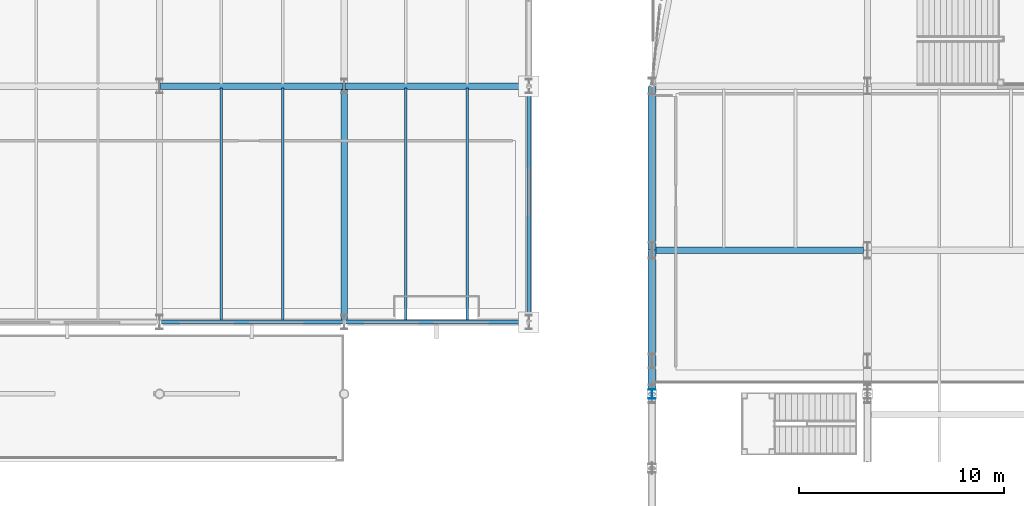
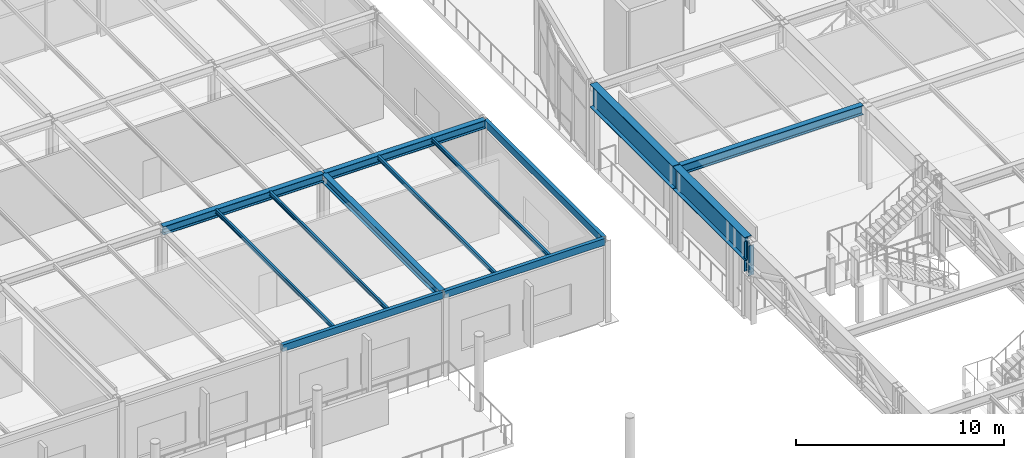
# One storey, part 40 of 143: 13 beams, 1 member.
"""IFC4 building model written with IfcOpenShell, lengths in metres."""

from ifc_helpers import new_model, si_unit, direction, frame, origin, origin_2d, place, context, subcontext, project, spatial, hollow_rectangle, i_section, extrude, material, material_profile, profile_set, type_object, element, save


model = new_model("IFC4")

# Units and contexts
model_context = context("Model", 3, precision=1e-05, world=origin(), true_north=direction((0.0, 1.0)))
body_context = subcontext(model_context, "Body", "Model", "MODEL_VIEW")
ifc_project = project(units=[si_unit("LENGTHUNIT", "METRE"), si_unit("AREAUNIT", "SQUARE_METRE"), si_unit("VOLUMEUNIT", "CUBIC_METRE"), si_unit("PLANEANGLEUNIT", "RADIAN"), si_unit("MASSUNIT", "GRAM", prefix="KILO")], contexts=[model_context])

# Site, building, storey
site_placement = place(None, origin())
site = spatial("IfcSite", under=ifc_project, at=site_placement, CompositionType="ELEMENT")
building_placement = place(site_placement, origin())
building = spatial("IfcBuilding", under=site, at=building_placement, Name="Marlcrest Central Station", CompositionType="ELEMENT")
storey_placement = place(building_placement, frame((0.0, 0.0, 4.800048828125)))
storey = spatial("IfcBuildingStorey", under=building, at=storey_placement, Name="L01", CompositionType="ELEMENT", Elevation=4.800048828125)

# Beams
ifc_material = material(Name="Steel S355", Category="steel")
ifc_material_profile_1 = material_profile(ifc_material, i_section(OverallWidth=0.300048828125, OverallDepth=0.489990234375, WebThickness=0.011962890625, FlangeThickness=0.02294921875, FilletRadius=0.027099609375, at=origin_2d()), Name="HEA 500")
ifc_profile_set_1 = profile_set([ifc_material_profile_1], Name="Steel S355")
beam_type_1 = type_object("IfcBeamType", Name="BM-10", PredefinedType="BEAM", material=ifc_profile_set_1)
for number, where, z_axis, x_axis, name in (
    (1, (63.050048828125, 110.5, 4.574951171875), (1.0, 0.0, 0.0), (0.0, 1.0, 0.0), "bm-BM-10-L01-00244"),
    (2, (72.050048828125, 110.5, 4.574951171875), (1.0, 0.0, 0.0), (0.0, 1.0, 0.0), "bm-BM-10-L01-00245"),
):
    element("IfcBeam", number, at=place(storey_placement, frame(where, z_axis=z_axis, x_axis=x_axis)), inside=storey, type_object=beam_type_1, Name=name, PredefinedType="BEAM", context=body_context, shape_type="SweptSolid", body=[
        extrude(i_section(OverallWidth=0.300048828125, OverallDepth=0.489990234375, WebThickness=0.011962890625, FlangeThickness=0.02294921875, FilletRadius=0.027099609375, at=origin_2d()), origin(), (0.0, 0.0, 1.0), 8.89990234375),
    ])
beam_1_placement = place(storey_placement, frame((72.0, 99.050048828125, 4.574951171875), z_axis=(0.0, 1.0, 0.0), x_axis=(-1.0, 0.0, 0.0)))
element("IfcBeam", 3, at=beam_1_placement, inside=storey, type_object=beam_type_1, Name="bm-BM-10-L01-00288", PredefinedType="BEAM", context=body_context, shape_type="SweptSolid", body=[
    extrude(i_section(OverallWidth=0.300048828125, OverallDepth=0.489990234375, WebThickness=0.011962890625, FlangeThickness=0.02294921875, FilletRadius=0.027099609375, at=origin_2d()), origin(), (0.0, 0.0, 1.0), 11.39990234375),
])
ifc_material_profile_2 = material_profile(ifc_material, i_section(OverallWidth=0.300048828125, OverallDepth=0.550048828125, WebThickness=0.014892578125, FlangeThickness=0.029052734375, FilletRadius=0.027099609375, at=origin_2d()), Name="HEB 550")
ifc_profile_set_2 = profile_set([ifc_material_profile_2], Name="Steel S355")
beam_type_2 = type_object("IfcBeamType", Name="BM-11", PredefinedType="BEAM", material=ifc_profile_set_2)
beam_2_placement = place(storey_placement, frame((87.195068359375, 102.5, 4.5400390625), z_axis=(1.0, 0.0, 0.0), x_axis=(0.0, 1.0, 0.0)))
element("IfcBeam", 4, at=beam_2_placement, inside=storey, type_object=beam_type_2, Name="bm-BM-11-L01-01217", PredefinedType="BEAM", context=body_context, shape_type="SweptSolid", body=[
    extrude(i_section(OverallWidth=0.300048828125, OverallDepth=0.550048828125, WebThickness=0.014892578125, FlangeThickness=0.029052734375, FilletRadius=0.027099609375, at=origin_2d()), origin(), (0.0, 0.0, 1.0), 10.10986328125),
])
ifc_material_profile_3 = material_profile(ifc_material, i_section(OverallWidth=0.1201171875, OverallDepth=0.239990234375, WebThickness=0.006103515625, FlangeThickness=0.009765625, FilletRadius=0.014892578125, at=origin_2d()), Name="IPE 240")
ifc_profile_set_3 = profile_set([ifc_material_profile_3], Name="Steel S355")
beam_type_3 = type_object("IfcBeamType", Name="JS-03", PredefinedType="JOIST", material=ifc_profile_set_3)
for number, where, z_axis, x_axis, name in (
    (5, (66.0, 99.094970703125, 4.699951171875), (0.0, 1.0, 0.0), (-1.0, 0.0, 0.0), "bm-JS-03-L01-00336"),
    (6, (69.0, 99.094970703125, 4.699951171875), (0.0, 1.0, 0.0), (-1.0, 0.0, 0.0), "bm-JS-03-L01-00339"),
    (7, (75.0, 99.094970703125, 4.699951171875), (0.0, 1.0, 0.0), (-1.0, 0.0, 0.0), "bm-JS-03-L01-00342"),
    (8, (78.0, 99.094970703125, 4.699951171875), (0.0, 1.0, 0.0), (-1.0, 0.0, 0.0), "bm-JS-03-L01-00345"),
):
    element("IfcBeam", number, at=place(storey_placement, frame(where, z_axis=z_axis, x_axis=x_axis)), inside=storey, type_object=beam_type_3, Name=name, PredefinedType="JOIST", context=body_context, shape_type="SweptSolid", body=[
        extrude(i_section(OverallWidth=0.1201171875, OverallDepth=0.239990234375, WebThickness=0.006103515625, FlangeThickness=0.009765625, FilletRadius=0.014892578125, at=origin_2d()), origin(), (0.0, 0.0, 1.0), 11.304931640625),
    ])
ifc_material_profile_4 = material_profile(ifc_material, hollow_rectangle(XDim=0.199951171875, YDim=0.39990234375, WallThickness=0.01611328125, at=origin_2d()), Name="RHS 400x200x16")
ifc_profile_set_4 = profile_set([ifc_material_profile_4], Name="Steel S355")
beam_type_4 = type_object("IfcBeamType", Name="SP-01", PredefinedType="SPANDREL", material=ifc_profile_set_4)
for number, where, z_axis, x_axis, name in (
    (9, (63.050048828125, 99.0, 4.619873046875), (1.0, 0.0, 0.0), (0.0, 1.0, 0.0), "bm-SP-01-L01-00235"),
    (10, (72.050048828125, 99.0, 4.619873046875), (1.0, 0.0, 0.0), (0.0, 1.0, 0.0), "bm-SP-01-L01-00236"),
):
    element("IfcBeam", number, at=place(storey_placement, frame(where, z_axis=z_axis, x_axis=x_axis)), inside=storey, type_object=beam_type_4, Name=name, PredefinedType="SPANDREL", context=body_context, shape_type="SweptSolid", body=[
        extrude(hollow_rectangle(XDim=0.199951171875, YDim=0.39990234375, WallThickness=0.01611328125, at=origin_2d()), origin(), (0.0, 0.0, 1.0), 8.89990234375),
    ])
beam_3_placement = place(storey_placement, frame((81.0, 99.050048828125, 4.619873046875), z_axis=(0.0, 1.0, 0.0), x_axis=(-1.0, 0.0, 0.0)))
element("IfcBeam", 11, at=beam_3_placement, inside=storey, type_object=beam_type_4, Name="bm-SP-01-L01-00291", PredefinedType="SPANDREL", context=body_context, shape_type="SweptSolid", body=[
    extrude(hollow_rectangle(XDim=0.199951171875, YDim=0.39990234375, WallThickness=0.01611328125, at=origin_2d()), origin(), (0.0, 0.0, 1.0), 11.39990234375),
])
ifc_material_profile_5 = material_profile(ifc_material, i_section(OverallWidth=0.39990234375, OverallDepth=1.35009765625, WebThickness=0.02197265625, FlangeThickness=0.034912109375, at=origin_2d()), Name="PG 1350x400")
ifc_profile_set_5 = profile_set([ifc_material_profile_5], Name="Steel S355")
beam_type_5 = type_object("IfcBeamType", Name="TG-01", PredefinedType="USERDEFINED", material=ifc_profile_set_5)
beam_4_placement = place(storey_placement, frame((87.0, 95.60009765625, 4.139892578125), z_axis=(0.0, 1.0, 0.0), x_axis=(-1.0, 0.0, 0.0)))
element("IfcBeam", 12, at=beam_4_placement, inside=storey, type_object=beam_type_5, Name="bm-TG-01-L01-01298", ObjectType="TRANSFER_GIRDER", PredefinedType="USERDEFINED", context=body_context, shape_type="SweptSolid", body=[
    extrude(i_section(OverallWidth=0.39990234375, OverallDepth=1.35009765625, WebThickness=0.02197265625, FlangeThickness=0.034912109375, at=origin_2d()), origin(), (0.0, 0.0, 1.0), 6.8798828125),
])
beam_5_placement = place(storey_placement, frame((87.0, 102.52001953125, 4.139892578125), z_axis=(0.0, 1.0, 0.0), x_axis=(-1.0, 0.0, 0.0)))
element("IfcBeam", 13, at=beam_5_placement, inside=storey, type_object=beam_type_5, Name="bm-TG-01-L01-01308", ObjectType="TRANSFER_GIRDER", PredefinedType="USERDEFINED", context=body_context, shape_type="SweptSolid", body=[
    extrude(i_section(OverallWidth=0.39990234375, OverallDepth=1.35009765625, WebThickness=0.02197265625, FlangeThickness=0.034912109375, at=origin_2d()), origin(), (0.0, 0.0, 1.0), 7.9599609375),
])

# Member
ifc_material_profile_6 = material_profile(ifc_material, i_section(OverallWidth=0.300048828125, OverallDepth=0.449951171875, WebThickness=0.013916015625, FlangeThickness=0.02587890625, FilletRadius=0.027099609375, at=origin_2d()), Name="HEB 450")
ifc_profile_set_6 = profile_set([ifc_material_profile_6], Name="Steel S355")
member_type = type_object("IfcMemberType", Name="TP-01", PredefinedType="POST", material=ifc_profile_set_6)
member_placement = place(storey_placement, frame((87.0, 95.5, 2.744873046875), z_axis=(0.0, 0.0, 1.0), x_axis=(1.0, 0.0, 0.0)))
element("IfcMember", 14, at=member_placement, inside=storey, type_object=member_type, Name="mem-TP-01-L01-02167", PredefinedType="POST", context=body_context, shape_type="SweptSolid", body=[
    extrude(i_section(OverallWidth=0.300048828125, OverallDepth=0.449951171875, WebThickness=0.013916015625, FlangeThickness=0.02587890625, FilletRadius=0.027099609375, at=origin_2d()), origin(), (0.0, 0.0, 1.0), 1.75),
])

save(model, "model.ifc")
